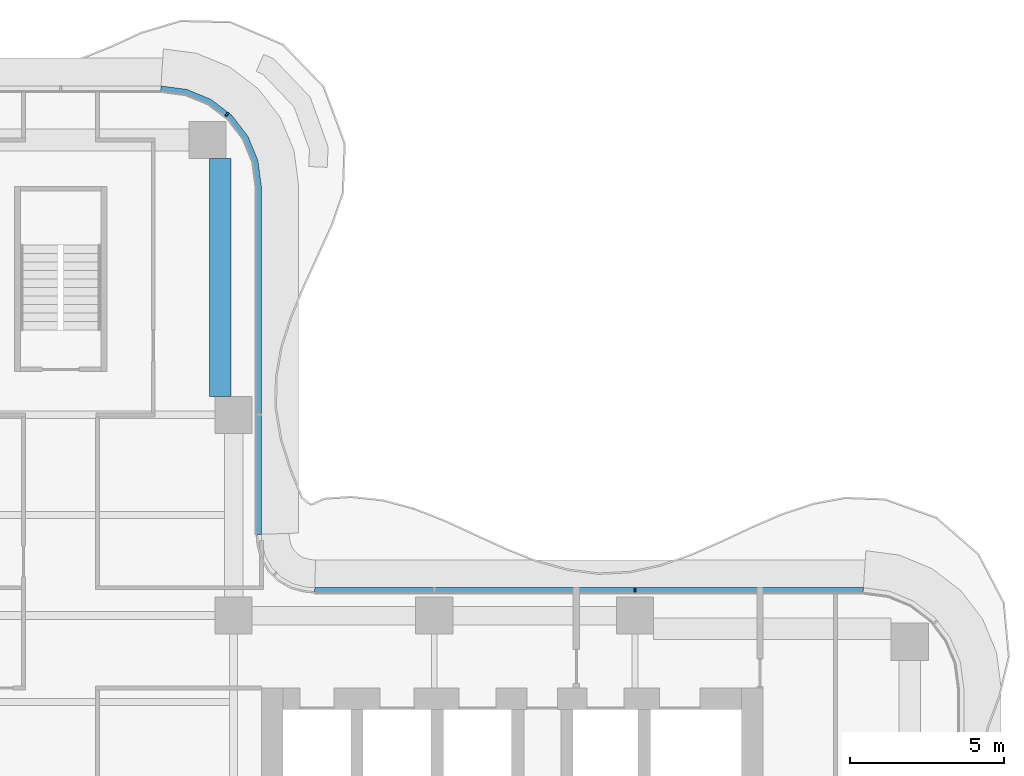
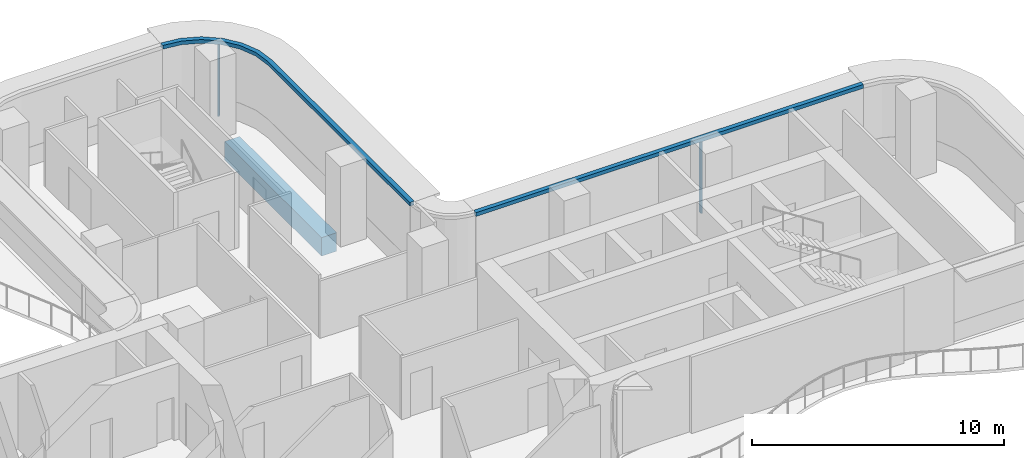
# One storey, part 8 of 18: 4 members, 1 beam, 2 elements without a shape of their own.
"""IFC4 building model written with IfcOpenShell, lengths in metres."""

from ifc_helpers import new_model, si_unit, direction, frame, origin, origin_2d, place, context, subcontext, project, spatial, polyline, rectangle, outline, extrude, source, transform, mapped, material, layer, layer_set, material_profile, profile_set, type_object, element, aggregate, save


model = new_model("IFC4")

# Units and contexts
model_context = context("Model", 3, precision=1e-05, world=origin(), true_north=direction((0.0, 1.0)))
body_context = subcontext(model_context, "Body", "Model", "MODEL_VIEW")
ifc_project = project(units=[si_unit("LENGTHUNIT", "METRE"), si_unit("AREAUNIT", "SQUARE_METRE"), si_unit("VOLUMEUNIT", "CUBIC_METRE"), si_unit("PLANEANGLEUNIT", "RADIAN"), si_unit("MASSUNIT", "GRAM", prefix="KILO")], contexts=[model_context])

# Site, building, storey
site_placement = place(None, origin())
site = spatial("IfcSite", under=ifc_project, at=site_placement, CompositionType="ELEMENT")
building_placement = place(site_placement, origin())
building = spatial("IfcBuilding", under=site, at=building_placement, Name="Trellis Farm Tower", CompositionType="ELEMENT")
storey_placement = place(building_placement, frame((0.0, 0.0, 201.0)))
storey = spatial("IfcBuildingStorey", under=building, at=storey_placement, Name="L44", CompositionType="ELEMENT", Elevation=201.0)

# Beam
ifc_material_1 = material(Name="Concrete C60/75", Category="concrete")
ifc_material_profile_1 = material_profile(ifc_material_1, rectangle(XDim=0.699951171875, YDim=0.89990234375, at=origin_2d()), Name="RC spandrel beam 700x900 C60/75")
ifc_profile_set_1 = profile_set([ifc_material_profile_1], Name="Concrete C60/75")
beam_type = type_object("IfcBeamType", Name="RC spandrel beam 700x900 C60/75", PredefinedType="SPANDREL", material=ifc_profile_set_1)
shared_shape_1 = source(origin(), body_context, "Body", "SweptSolid", [
    extrude(rectangle(XDim=0.699951171875, YDim=0.89990234375, at=origin_2d()), origin(), (0.0, 0.0, 1.0), 7.699951171875),
])
beam_placement = place(storey_placement, frame((5.175048828125, 12.699951171875, -0.64990234375), z_axis=(0.0, 1.0, 0.0), x_axis=(-1.0, 0.0, 0.0)))
element("IfcBeam", 1, at=beam_placement, inside=storey, type_object=beam_type, Name="Girder", PredefinedType="SPANDREL", context=body_context, shape_type="MappedRepresentation", body=[
    mapped(shared_shape_1, transform((0.0, 0.0, 0.0))),
])

# Curtain wall, members
ifc_material_2 = material(Name="Aluminium and glass curtain wall", Category="aluminium")
ifc_layer_1 = layer(ifc_material_2, 0.18994140625)
ifc_layer_set_1 = layer_set([ifc_layer_1], Name="RIBBON CURTAIN WALL CW1")
curtain_wall_type = type_object("IfcCurtainWallType", Name="RIBBON CURTAIN WALL CW1", PredefinedType="NOTDEFINED", material=ifc_layer_set_1)
placement_1 = place(storey_placement, origin())
curtain_wall_1 = element("IfcCurtainWall", 2, at=placement_1, inside=storey, type_object=curtain_wall_type, Name="CW1 008", PredefinedType="NOTDEFINED")
ifc_material_3 = material(Name="Aluminium extrusion 6063-T6", Category="aluminium")
ifc_layer_2 = layer(ifc_material_3, 0.199951171875)
ifc_layer_set_2 = layer_set([ifc_layer_2], Name="Aluminium extrusion 6063-T6")
member_type_1 = type_object("IfcMemberType", Name="CW1 TRANSOM 200x180", PredefinedType="USERDEFINED", material=ifc_layer_set_2)
shared_shape_2 = source(origin(), body_context, "Body", "SweptSolid", [
    extrude(outline(polyline([(26.0, 6.5), (8.2314453125, 6.5), (8.224853515625, 6.300048828125), (25.98681640625, 6.300048828125), (26.0, 6.5)])), origin(), (0.0, 0.0, 1.0), 0.179931640625),
])
placement_2 = place(storey_placement, frame((0.0, 0.0, 3.52001953125)))
member_1 = element("IfcMember", 3, at=placement_2, type_object=member_type_1, Name="TR1 008", ObjectType="TRANSOM", PredefinedType="USERDEFINED", context=body_context, shape_type="MappedRepresentation", body=[
    mapped(shared_shape_2, transform((0.0, 0.0, 0.0))),
])
ifc_material_profile_2 = material_profile(ifc_material_3, rectangle(XDim=0.06005859375, YDim=0.14990234375, at=origin_2d()), Name="MULLION 60x150")
ifc_profile_set_2 = profile_set([ifc_material_profile_2], Name="Aluminium extrusion 6063-T6")
member_type_2 = type_object("IfcMemberType", Name="CW1 MULLION 60x150", PredefinedType="MULLION", material=ifc_profile_set_2)
shared_shape_3 = source(origin(), body_context, "Body", "SweptSolid", [
    extrude(rectangle(XDim=0.06005859375, YDim=0.14990234375, at=origin_2d()), origin(), (0.0, 0.0, 1.0), 3.52001953125),
])
member_2_placement = place(storey_placement, frame((18.60009765625, 6.425048828125, 0.0), z_axis=(0.0, 0.0, 1.0), x_axis=(-1.0, 0.0, 0.0)))
member_2 = element("IfcMember", 4, at=member_2_placement, type_object=member_type_2, Name="MU1 008-01", PredefinedType="MULLION", context=body_context, shape_type="MappedRepresentation", body=[
    mapped(shared_shape_3, transform((0.0, 0.0, 0.0))),
])
aggregate(curtain_wall_1, [member_2, member_1])

curtain_wall_2 = element("IfcCurtainWall", 5, at=placement_1, inside=storey, type_object=curtain_wall_type, Name="CW1 009", PredefinedType="NOTDEFINED")
member_3_placement = place(storey_placement, frame((5.385498046875, 21.828369140625, 0.0), z_axis=(0.0, 0.0, 1.0), x_axis=(-0.793353340291, 0.608761429009, 0.0)))
member_3 = element("IfcMember", 6, at=member_3_placement, type_object=member_type_2, Name="MU1 009-02", PredefinedType="MULLION", context=body_context, shape_type="MappedRepresentation", body=[
    mapped(shared_shape_3, transform((0.0, 0.0, 0.0))),
])
shared_shape_4 = source(origin(), body_context, "Body", "SweptSolid", [
    extrude(outline(polyline([(6.5, 8.2314453125), (6.5, 19.5), (6.38916015625, 20.341064453125), (6.064697265625, 21.125), (5.548095703125, 21.798095703125), (4.875, 22.314697265625), (4.091064453125, 22.63916015625), (3.25, 22.75), (3.23681640625, 22.550048828125), (4.0390625, 22.4443359375), (4.774169921875, 22.139892578125), (5.405517578125, 21.655517578125), (5.889892578125, 21.024169921875), (6.1943359375, 20.2890625), (6.300048828125, 19.48681640625), (6.300048828125, 8.224853515625), (6.5, 8.2314453125)])), origin(), (0.0, 0.0, 1.0), 0.179931640625),
])
member_4 = element("IfcMember", 7, at=placement_2, type_object=member_type_1, Name="TR1 009", ObjectType="TRANSOM", PredefinedType="USERDEFINED", context=body_context, shape_type="MappedRepresentation", body=[
    mapped(shared_shape_4, transform((0.0, 0.0, 0.0))),
])
aggregate(curtain_wall_2, [member_3, member_4])

save(model, "model.ifc")
